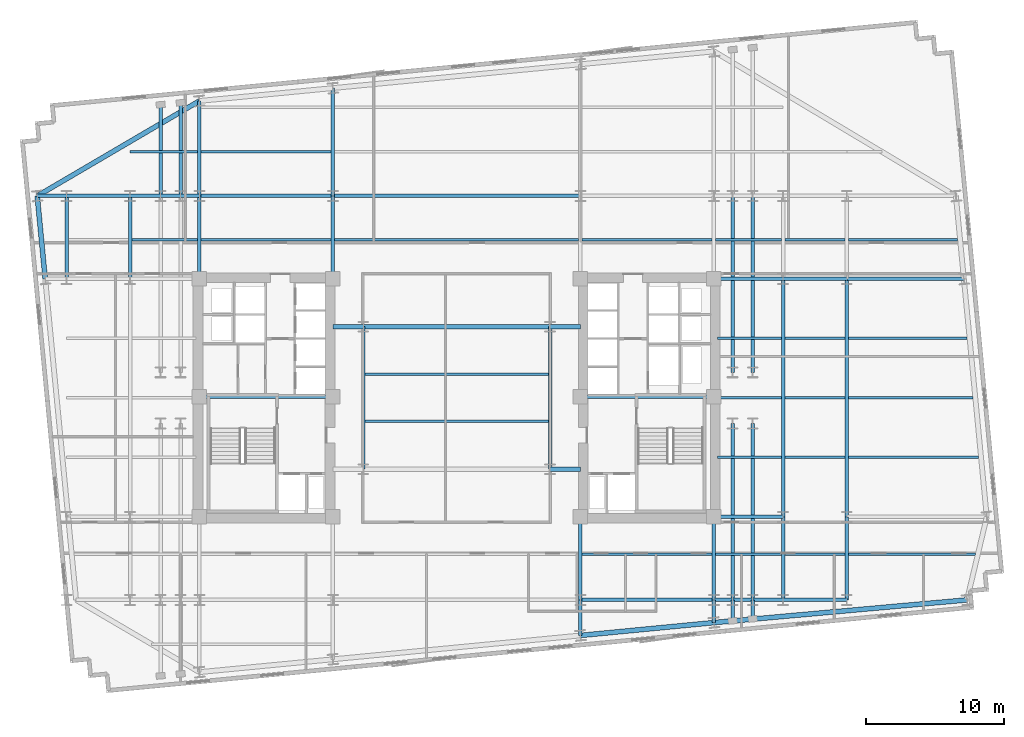
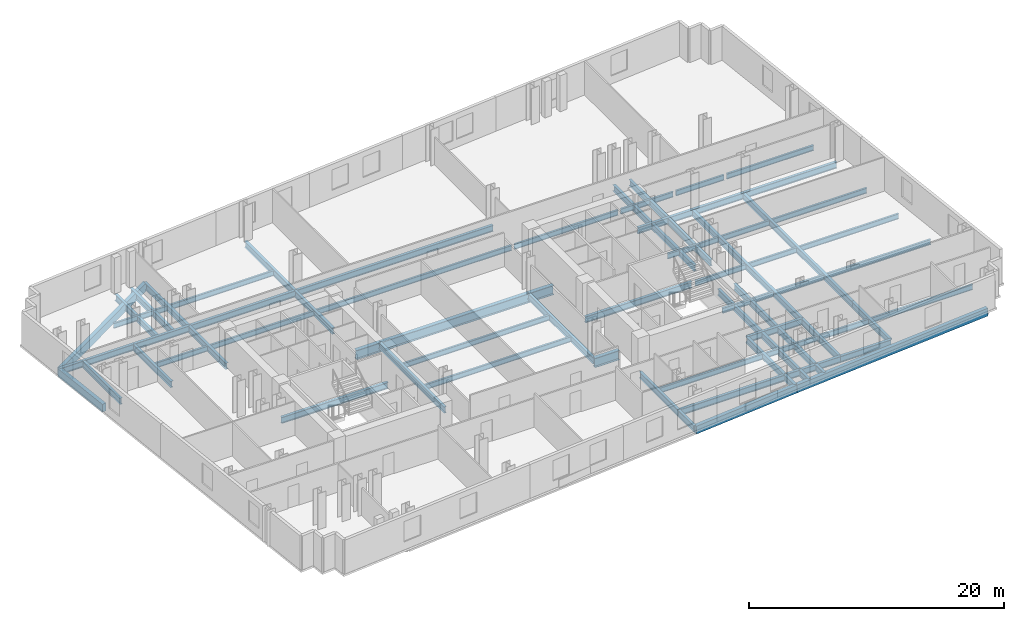
# One storey, part 2 of 10: 70 beams.
"""IFC4 building model written with IfcOpenShell, lengths in metres."""

from ifc_helpers import new_model, si_unit, direction, frame, origin, origin_2d, place, context, subcontext, project, spatial, rectangle, i_section, extrude, material, material_profile, profile_set, type_object, element, save


model = new_model("IFC4")

# Units and contexts
model_context = context("Model", 3, precision=1e-05, world=origin(), true_north=direction((0.0, 1.0)))
body_context = subcontext(model_context, "Body", "Model", "MODEL_VIEW")
ifc_project = project(units=[si_unit("LENGTHUNIT", "METRE"), si_unit("AREAUNIT", "SQUARE_METRE"), si_unit("VOLUMEUNIT", "CUBIC_METRE"), si_unit("PLANEANGLEUNIT", "RADIAN"), si_unit("MASSUNIT", "GRAM", prefix="KILO")], contexts=[model_context])

# Site, building, storey
site_placement = place(None, origin())
site = spatial("IfcSite", under=ifc_project, at=site_placement, CompositionType="ELEMENT")
building_placement = place(site_placement, origin())
building = spatial("IfcBuilding", under=site, at=building_placement, Name="Velakula Bourse", CompositionType="ELEMENT")
storey_placement = place(building_placement, frame((0.0, 0.0, 91.449951171875)))
storey = spatial("IfcBuildingStorey", under=building, at=storey_placement, Name="L24", CompositionType="ELEMENT", Elevation=91.449951171875)

# Beams
ifc_material_1 = material(Name="Steel IS 2062 Grade 350 (E350)", Category="steel")
ifc_material_profile_1 = material_profile(ifc_material_1, i_section(OverallWidth=0.25, OverallDepth=0.60009765625, WebThickness=0.01171875, FlangeThickness=0.023681640625, at=origin_2d()), Name="Steel IS 2062 Grade 350 (E350)")
ifc_profile_set_1 = profile_set([ifc_material_profile_1], Name="Steel IS 2062 Grade 350 (E350)")
beam_type_1 = type_object("IfcBeamType", Name="BM-GRD-600H", PredefinedType="BEAM", material=ifc_profile_set_1)
for number, where, z_axis, x_axis, name in (
    (1, (-18.60009765625, 0.10009765625, -0.47998046875), (1.0, 0.0, 0.0), (0.0, 1.0, 0.0), "L24 Primary Backbone Girder CRW-M"),
    (2, (8.949951171875, 0.10009765625, -0.47998046875), (1.0, 0.0, 0.0), (0.0, 1.0, 0.0), "L24 Primary Backbone Girder CRE-M"),
):
    element("IfcBeam", number, at=place(storey_placement, frame(where, z_axis=z_axis, x_axis=x_axis)), inside=storey, type_object=beam_type_1, Name=name, PredefinedType="BEAM", context=body_context, shape_type="SweptSolid", body=[
        extrude(i_section(OverallWidth=0.25, OverallDepth=0.60009765625, WebThickness=0.01171875, FlangeThickness=0.023681640625, at=origin_2d()), origin(), (0.0, 0.0, 1.0), 9.650146484375),
    ])
for number, where, z_axis, x_axis, name in (
    (3, (-6.75, -5.14990234375, -0.47998046875), (0.0, 1.0, 0.0), (-1.0, 0.0, 0.0), "L24 Primary Backbone Girder SPN-W"),
    (4, (6.75, -5.14990234375, -0.47998046875), (0.0, 1.0, 0.0), (-1.0, 0.0, 0.0), "L24 Primary Backbone Girder SPN-E"),
):
    element("IfcBeam", number, at=place(storey_placement, frame(where, z_axis=z_axis, x_axis=x_axis)), inside=storey, type_object=beam_type_1, Name=name, PredefinedType="BEAM", context=body_context, shape_type="SweptSolid", body=[
        extrude(i_section(OverallWidth=0.25, OverallDepth=0.60009765625, WebThickness=0.01171875, FlangeThickness=0.023681640625, at=origin_2d()), origin(), (0.0, 0.0, 1.0), 10.2998046875),
    ])
for number, where, z_axis, x_axis, name in (
    (5, (-18.60009765625, 8.60009765625, -0.47998046875), (0.0, 1.0, 0.0), (-1.0, 0.0, 0.0), "L24 Fulcrum Grid Girder FLC-WN"),
    (6, (-8.949951171875, 8.60009765625, -0.47998046875), (0.0, 1.0, 0.0), (-1.0, 0.0, 0.0), "L24 Fulcrum Grid Girder FLC-WCN"),
    (7, (8.949951171875, -14.60009765625, -0.47998046875), (0.0, 1.0, 0.0), (-1.0, 0.0, 0.0), "L24 Fulcrum Grid Girder FLC-ECS"),
    (8, (18.60009765625, -14.60009765625, -0.47998046875), (0.0, 1.0, 0.0), (-1.0, 0.0, 0.0), "L24 Fulcrum Grid Girder FLC-ES"),
):
    element("IfcBeam", number, at=place(storey_placement, frame(where, z_axis=z_axis, x_axis=x_axis)), inside=storey, type_object=beam_type_1, Name=name, PredefinedType="BEAM", context=body_context, shape_type="SweptSolid", body=[
        extrude(i_section(OverallWidth=0.25, OverallDepth=0.60009765625, WebThickness=0.01171875, FlangeThickness=0.023681640625, at=origin_2d()), origin(), (0.0, 0.0, 1.0), 6.0),
    ])
for number, where, z_axis, x_axis, name in (
    (9, (8.949951171875, -14.60009765625, -0.47998046875), (1.0, 0.0, 0.0), (0.0, 1.0, 0.0), "L24 Fulcrum Grid Girder FLC-S3"),
    (10, (-18.60009765625, 14.60009765625, -0.47998046875), (1.0, 0.0, 0.0), (0.0, 1.0, 0.0), "L24 Fulcrum Grid Girder FLC-N1"),
):
    element("IfcBeam", number, at=place(storey_placement, frame(where, z_axis=z_axis, x_axis=x_axis)), inside=storey, type_object=beam_type_1, Name=name, PredefinedType="BEAM", context=body_context, shape_type="SweptSolid", body=[
        extrude(i_section(OverallWidth=0.25, OverallDepth=0.60009765625, WebThickness=0.01171875, FlangeThickness=0.023681640625, at=origin_2d()), origin(), (0.0, 0.0, 1.0), 9.650146484375),
    ])
beam_1_placement = place(storey_placement, frame((-8.949951171875, 14.60009765625, -0.47998046875), z_axis=(1.0, 0.0, 0.0), x_axis=(0.0, 1.0, 0.0)))
element("IfcBeam", 11, at=beam_1_placement, inside=storey, type_object=beam_type_1, Name="L24 Fulcrum Grid Girder FLC-N2", PredefinedType="BEAM", context=body_context, shape_type="SweptSolid", body=[
    extrude(i_section(OverallWidth=0.25, OverallDepth=0.60009765625, WebThickness=0.01171875, FlangeThickness=0.023681640625, at=origin_2d()), origin(), (0.0, 0.0, 1.0), 17.89990234375),
])
for number, where, z_axis, x_axis, name in (
    (12, (19.949951171875, -14.60009765625, -0.47998046875), (0.0, 1.0, 0.0), (-1.0, 0.0, 0.0), "L24 Fulcrum Grid Girder FLC-PSE1"),
    (13, (19.949951171875, 1.85009765625, -0.47998046875), (0.0, 1.0, 0.0), (-1.0, 0.0, 0.0), "L24 Fulcrum Grid Girder FLC-PNE1"),
    (14, (21.39990234375, -14.60009765625, -0.47998046875), (0.0, 1.0, 0.0), (-1.0, 0.0, 0.0), "L24 Fulcrum Grid Girder FLC-PSE2"),
    (15, (21.39990234375, 1.85009765625, -0.47998046875), (0.0, 1.0, 0.0), (-1.0, 0.0, 0.0), "L24 Fulcrum Grid Girder FLC-PNE2"),
):
    element("IfcBeam", number, at=place(storey_placement, frame(where, z_axis=z_axis, x_axis=x_axis)), inside=storey, type_object=beam_type_1, Name=name, PredefinedType="BEAM", context=body_context, shape_type="SweptSolid", body=[
        extrude(i_section(OverallWidth=0.25, OverallDepth=0.60009765625, WebThickness=0.01171875, FlangeThickness=0.023681640625, at=origin_2d()), origin(), (0.0, 0.0, 1.0), 12.75),
    ])
beam_2_placement = place(storey_placement, frame((-23.60009765625, 14.60009765625, -0.47998046875), z_axis=(1.0, 0.0, 0.0), x_axis=(0.0, 1.0, 0.0)))
element("IfcBeam", 16, at=beam_2_placement, inside=storey, type_object=beam_type_1, Name="L24 Fulcrum Grid Girder MWG-WN2", PredefinedType="BEAM", context=body_context, shape_type="SweptSolid", body=[
    extrude(i_section(OverallWidth=0.25, OverallDepth=0.60009765625, WebThickness=0.01171875, FlangeThickness=0.023681640625, at=origin_2d()), origin(), (0.0, 0.0, 1.0), 5.0),
])
beam_3_placement = place(storey_placement, frame((-23.60009765625, 8.60009765625, -0.47998046875), z_axis=(0.0, 1.0, 0.0), x_axis=(-1.0, 0.0, 0.0)))
element("IfcBeam", 17, at=beam_3_placement, inside=storey, type_object=beam_type_1, Name="L24 Fulcrum Grid Girder MWG-WNS3", PredefinedType="BEAM", context=body_context, shape_type="SweptSolid", body=[
    extrude(i_section(OverallWidth=0.25, OverallDepth=0.60009765625, WebThickness=0.01171875, FlangeThickness=0.023681640625, at=origin_2d()), origin(), (0.0, 0.0, 1.0), 6.0),
])
for number, where, z_axis, x_axis, name in (
    (18, (18.60009765625, -14.60009765625, -0.47998046875), (1.0, 0.0, 0.0), (0.0, 1.0, 0.0), "L24 Fulcrum Grid Girder MWG-ES1"),
    (19, (18.60009765625, -8.60009765625, -0.47998046875), (1.0, 0.0, 0.0), (0.0, 1.0, 0.0), "L24 Fulcrum Grid Girder MWG-ES2"),
    (20, (18.60009765625, 8.60009765625, -0.47998046875), (1.0, 0.0, 0.0), (0.0, 1.0, 0.0), "L24 Fulcrum Grid Girder MWG-EN1"),
):
    element("IfcBeam", number, at=place(storey_placement, frame(where, z_axis=z_axis, x_axis=x_axis)), inside=storey, type_object=beam_type_1, Name=name, PredefinedType="BEAM", context=body_context, shape_type="SweptSolid", body=[
        extrude(i_section(OverallWidth=0.25, OverallDepth=0.60009765625, WebThickness=0.01171875, FlangeThickness=0.023681640625, at=origin_2d()), origin(), (0.0, 0.0, 1.0), 5.0),
    ])
beam_4_placement = place(storey_placement, frame((23.60009765625, -14.60009765625, -0.47998046875), z_axis=(0.0, 1.0, 0.0), x_axis=(-1.0, 0.0, 0.0)))
element("IfcBeam", 21, at=beam_4_placement, inside=storey, type_object=beam_type_1, Name="L24 Fulcrum Grid Girder MWG-ENS1", PredefinedType="BEAM", context=body_context, shape_type="SweptSolid", body=[
    extrude(i_section(OverallWidth=0.25, OverallDepth=0.60009765625, WebThickness=0.01171875, FlangeThickness=0.023681640625, at=origin_2d()), origin(), (0.0, 0.0, 1.0), 6.0),
])
beam_5_placement = place(storey_placement, frame((23.60009765625, -8.60009765625, -0.47998046875), z_axis=(0.0, 1.0, 0.0), x_axis=(-1.0, 0.0, 0.0)))
element("IfcBeam", 22, at=beam_5_placement, inside=storey, type_object=beam_type_1, Name="L24 Fulcrum Grid Girder MWG-ENS2", PredefinedType="BEAM", context=body_context, shape_type="SweptSolid", body=[
    extrude(i_section(OverallWidth=0.25, OverallDepth=0.60009765625, WebThickness=0.01171875, FlangeThickness=0.023681640625, at=origin_2d()), origin(), (0.0, 0.0, 1.0), 17.2001953125),
])
beam_6_placement = place(storey_placement, frame((-28.199951171875, 14.60009765625, -0.47998046875), z_axis=(1.0, 0.0, 0.0), x_axis=(0.0, 1.0, 0.0)))
element("IfcBeam", 23, at=beam_6_placement, inside=storey, type_object=beam_type_1, Name="L24 Fulcrum Grid Girder WNG-WN2", PredefinedType="BEAM", context=body_context, shape_type="SweptSolid", body=[
    extrude(i_section(OverallWidth=0.25, OverallDepth=0.60009765625, WebThickness=0.01171875, FlangeThickness=0.023681640625, at=origin_2d()), origin(), (0.0, 0.0, 1.0), 4.599853515625),
])
beam_7_placement = place(storey_placement, frame((-28.199951171875, 8.60009765625, -0.47998046875), z_axis=(0.0, 1.0, 0.0), x_axis=(-1.0, 0.0, 0.0)))
element("IfcBeam", 24, at=beam_7_placement, inside=storey, type_object=beam_type_1, Name="L24 Fulcrum Grid Girder WNG-WNS3", PredefinedType="BEAM", context=body_context, shape_type="SweptSolid", body=[
    extrude(i_section(OverallWidth=0.25, OverallDepth=0.60009765625, WebThickness=0.01171875, FlangeThickness=0.023681640625, at=origin_2d()), origin(), (0.0, 0.0, 1.0), 6.0),
])
for number, where, z_axis, x_axis, name in (
    (25, (23.60009765625, -14.60009765625, -0.47998046875), (1.0, 0.0, 0.0), (0.0, 1.0, 0.0), "L24 Fulcrum Grid Girder WNG-ES1"),
    (26, (23.60009765625, 8.60009765625, -0.47998046875), (1.0, 0.0, 0.0), (0.0, 1.0, 0.0), "L24 Fulcrum Grid Girder WNG-EN1"),
):
    element("IfcBeam", number, at=place(storey_placement, frame(where, z_axis=z_axis, x_axis=x_axis)), inside=storey, type_object=beam_type_1, Name=name, PredefinedType="BEAM", context=body_context, shape_type="SweptSolid", body=[
        extrude(i_section(OverallWidth=0.25, OverallDepth=0.60009765625, WebThickness=0.01171875, FlangeThickness=0.023681640625, at=origin_2d()), origin(), (0.0, 0.0, 1.0), 4.599853515625),
    ])
beam_8_placement = place(storey_placement, frame((28.199951171875, -14.60009765625, -0.47998046875), z_axis=(0.0, 1.0, 0.0), x_axis=(-1.0, 0.0, 0.0)))
element("IfcBeam", 27, at=beam_8_placement, inside=storey, type_object=beam_type_1, Name="L24 Fulcrum Grid Girder WNG-ENS1", PredefinedType="BEAM", context=body_context, shape_type="SweptSolid", body=[
    extrude(i_section(OverallWidth=0.25, OverallDepth=0.60009765625, WebThickness=0.01171875, FlangeThickness=0.023681640625, at=origin_2d()), origin(), (0.0, 0.0, 1.0), 6.0),
])
beam_9_placement = place(storey_placement, frame((28.199951171875, -8.60009765625, -0.47998046875), z_axis=(0.0, 1.0, 0.0), x_axis=(-1.0, 0.0, 0.0)))
element("IfcBeam", 28, at=beam_9_placement, inside=storey, type_object=beam_type_1, Name="L24 Fulcrum Grid Girder WNG-ENS2", PredefinedType="BEAM", context=body_context, shape_type="SweptSolid", body=[
    extrude(i_section(OverallWidth=0.25, OverallDepth=0.60009765625, WebThickness=0.01171875, FlangeThickness=0.023681640625, at=origin_2d()), origin(), (0.0, 0.0, 1.0), 17.2001953125),
])
beam_10_placement = place(storey_placement, frame((8.949951171875, -14.60009765625, -0.47998046875), z_axis=(0.0, -1.0, 0.0), x_axis=(1.0, 0.0, 0.0)))
element("IfcBeam", 29, at=beam_10_placement, inside=storey, type_object=beam_type_1, Name="L24 Perimeter Tie Girder S3", PredefinedType="BEAM", context=body_context, shape_type="SweptSolid", body=[
    extrude(i_section(OverallWidth=0.25, OverallDepth=0.60009765625, WebThickness=0.01171875, FlangeThickness=0.023681640625, at=origin_2d()), origin(), (0.0, 0.0, 1.0), 2.568359375),
])
beam_11_placement = place(storey_placement, frame((18.60009765625, -14.60009765625, -0.47998046875), z_axis=(0.0, -1.0, 0.0), x_axis=(1.0, 0.0, 0.0)))
element("IfcBeam", 30, at=beam_11_placement, inside=storey, type_object=beam_type_1, Name="L24 Perimeter Tie Girder S4", PredefinedType="BEAM", context=body_context, shape_type="SweptSolid", body=[
    extrude(i_section(OverallWidth=0.25, OverallDepth=0.60009765625, WebThickness=0.01171875, FlangeThickness=0.023681640625, at=origin_2d()), origin(), (0.0, 0.0, 1.0), 1.63916015625),
])
beam_12_placement = place(storey_placement, frame((-18.60009765625, 14.60009765625, -0.47998046875), z_axis=(0.0, 1.0, 0.0), x_axis=(-1.0, 0.0, 0.0)))
element("IfcBeam", 31, at=beam_12_placement, inside=storey, type_object=beam_type_1, Name="L24 Perimeter Tie Girder N1", PredefinedType="BEAM", context=body_context, shape_type="SweptSolid", body=[
    extrude(i_section(OverallWidth=0.25, OverallDepth=0.60009765625, WebThickness=0.01171875, FlangeThickness=0.023681640625, at=origin_2d()), origin(), (0.0, 0.0, 1.0), 6.868896484375),
])
beam_13_placement = place(storey_placement, frame((-8.949951171875, 14.60009765625, -0.47998046875), z_axis=(0.0, 1.0, 0.0), x_axis=(-1.0, 0.0, 0.0)))
element("IfcBeam", 32, at=beam_13_placement, inside=storey, type_object=beam_type_1, Name="L24 Perimeter Tie Girder N2", PredefinedType="BEAM", context=body_context, shape_type="SweptSolid", body=[
    extrude(i_section(OverallWidth=0.25, OverallDepth=0.60009765625, WebThickness=0.01171875, FlangeThickness=0.023681640625, at=origin_2d()), origin(), (0.0, 0.0, 1.0), 7.798095703125),
])
beam_14_placement = place(storey_placement, frame((-28.199951171875, 14.60009765625, -0.47998046875), z_axis=(-1.0, 0.0, 0.0), x_axis=(0.0, -1.0, 0.0)))
element("IfcBeam", 33, at=beam_14_placement, inside=storey, type_object=beam_type_1, Name="L24 Perimeter Tie Girder W4", PredefinedType="BEAM", context=body_context, shape_type="SweptSolid", body=[
    extrude(i_section(OverallWidth=0.25, OverallDepth=0.60009765625, WebThickness=0.01171875, FlangeThickness=0.023681640625, at=origin_2d()), origin(), (0.0, 0.0, 1.0), 2.119873046875),
])
beam_15_placement = place(storey_placement, frame((28.199951171875, 8.60009765625, -0.47998046875), z_axis=(1.0, 0.0, 0.0), x_axis=(0.0, 1.0, 0.0)))
element("IfcBeam", 34, at=beam_15_placement, inside=storey, type_object=beam_type_1, Name="L24 Perimeter Tie Girder E3", PredefinedType="BEAM", context=body_context, shape_type="SweptSolid", body=[
    extrude(i_section(OverallWidth=0.25, OverallDepth=0.60009765625, WebThickness=0.01171875, FlangeThickness=0.023681640625, at=origin_2d()), origin(), (0.0, 0.0, 1.0), 8.463623046875),
])
beam_16_placement = place(storey_placement, frame((19.949951171875, -14.60009765625, -0.47998046875), z_axis=(0.0, -1.0, 0.0), x_axis=(1.0, 0.0, 0.0)))
element("IfcBeam", 35, at=beam_16_placement, inside=storey, type_object=beam_type_1, Name="L24 Perimeter Tie Girder P03", PredefinedType="BEAM", context=body_context, shape_type="SweptSolid", body=[
    extrude(i_section(OverallWidth=0.25, OverallDepth=0.60009765625, WebThickness=0.01171875, FlangeThickness=0.023681640625, at=origin_2d()), origin(), (0.0, 0.0, 1.0), 1.509033203125),
])
beam_17_placement = place(storey_placement, frame((21.39990234375, -14.60009765625, -0.47998046875), z_axis=(0.0, -1.0, 0.0), x_axis=(1.0, 0.0, 0.0)))
element("IfcBeam", 36, at=beam_17_placement, inside=storey, type_object=beam_type_1, Name="L24 Perimeter Tie Girder P04", PredefinedType="BEAM", context=body_context, shape_type="SweptSolid", body=[
    extrude(i_section(OverallWidth=0.25, OverallDepth=0.60009765625, WebThickness=0.01171875, FlangeThickness=0.023681640625, at=origin_2d()), origin(), (0.0, 0.0, 1.0), 1.369384765625),
])
beam_18_placement = place(storey_placement, frame((-21.39990234375, 14.60009765625, -0.47998046875), z_axis=(0.0, 1.0, 0.0), x_axis=(-1.0, 0.0, 0.0)))
element("IfcBeam", 37, at=beam_18_placement, inside=storey, type_object=beam_type_1, Name="L24 Perimeter Tie Girder P05", PredefinedType="BEAM", context=body_context, shape_type="SweptSolid", body=[
    extrude(i_section(OverallWidth=0.25, OverallDepth=0.60009765625, WebThickness=0.01171875, FlangeThickness=0.023681640625, at=origin_2d()), origin(), (0.0, 0.0, 1.0), 6.59912109375),
])
beam_19_placement = place(storey_placement, frame((-19.949951171875, 14.60009765625, -0.47998046875), z_axis=(0.0, 1.0, 0.0), x_axis=(-1.0, 0.0, 0.0)))
element("IfcBeam", 38, at=beam_19_placement, inside=storey, type_object=beam_type_1, Name="L24 Perimeter Tie Girder P06", PredefinedType="BEAM", context=body_context, shape_type="SweptSolid", body=[
    extrude(i_section(OverallWidth=0.25, OverallDepth=0.60009765625, WebThickness=0.01171875, FlangeThickness=0.023681640625, at=origin_2d()), origin(), (0.0, 0.0, 1.0), 6.73876953125),
])
ifc_material_profile_2 = material_profile(ifc_material_1, i_section(OverallWidth=0.35009765625, OverallDepth=0.89990234375, WebThickness=0.02001953125, FlangeThickness=0.031982421875, at=origin_2d()), Name="Steel IS 2062 Grade 350 (E350)")
ifc_profile_set_2 = profile_set([ifc_material_profile_2], Name="Steel IS 2062 Grade 350 (E350)")
beam_type_2 = type_object("IfcBeamType", Name="BM-LNK-900", PredefinedType="BEAM", material=ifc_profile_set_2)
for number, where, z_axis, x_axis, name in (
    (39, (6.75, -5.14990234375, -0.6298828125), (1.0, 0.0, 0.0), (0.0, 1.0, 0.0), "L24 Primary Backbone Girder LNK-S3"),
    (40, (-8.949951171875, 5.14990234375, -0.6298828125), (1.0, 0.0, 0.0), (0.0, 1.0, 0.0), "L24 Primary Backbone Girder LNK-N1"),
):
    element("IfcBeam", number, at=place(storey_placement, frame(where, z_axis=z_axis, x_axis=x_axis)), inside=storey, type_object=beam_type_2, Name=name, PredefinedType="BEAM", context=body_context, shape_type="SweptSolid", body=[
        extrude(i_section(OverallWidth=0.35009765625, OverallDepth=0.89990234375, WebThickness=0.02001953125, FlangeThickness=0.031982421875, at=origin_2d()), origin(), (0.0, 0.0, 1.0), 2.199951171875),
    ])
beam_20_placement = place(storey_placement, frame((-6.75, 5.14990234375, -0.6298828125), z_axis=(1.0, 0.0, 0.0), x_axis=(0.0, 1.0, 0.0)))
element("IfcBeam", 41, at=beam_20_placement, inside=storey, type_object=beam_type_2, Name="L24 Primary Backbone Girder LNK-N2", PredefinedType="BEAM", context=body_context, shape_type="SweptSolid", body=[
    extrude(i_section(OverallWidth=0.35009765625, OverallDepth=0.89990234375, WebThickness=0.02001953125, FlangeThickness=0.031982421875, at=origin_2d()), origin(), (0.0, 0.0, 1.0), 13.5),
])
beam_21_placement = place(storey_placement, frame((6.75, 5.14990234375, -0.6298828125), z_axis=(1.0, 0.0, 0.0), x_axis=(0.0, 1.0, 0.0)))
element("IfcBeam", 42, at=beam_21_placement, inside=storey, type_object=beam_type_2, Name="L24 Primary Backbone Girder LNK-N3", PredefinedType="BEAM", context=body_context, shape_type="SweptSolid", body=[
    extrude(i_section(OverallWidth=0.35009765625, OverallDepth=0.89990234375, WebThickness=0.02001953125, FlangeThickness=0.031982421875, at=origin_2d()), origin(), (0.0, 0.0, 1.0), 2.199951171875),
])
ifc_material_profile_3 = material_profile(ifc_material_1, i_section(OverallWidth=0.179931640625, OverallDepth=0.5, WebThickness=0.01025390625, FlangeThickness=0.01708984375, at=origin_2d()), Name="Steel IS 2062 Grade 350 (E350)")
ifc_profile_set_3 = profile_set([ifc_material_profile_3], Name="Steel IS 2062 Grade 350 (E350)")
beam_type_3 = type_object("IfcBeamType", Name="JST-TWR-500", PredefinedType="JOIST", material=ifc_profile_set_3)
beam_22_placement = place(storey_placement, frame((9.074951171875, -11.300048828125, -0.429931640625), z_axis=(1.0, 0.0, 0.0), x_axis=(0.0, 1.0, 0.0)))
element("IfcBeam", 43, at=beam_22_placement, inside=storey, type_object=beam_type_3, Name="L24 Trading Floor Composite Joist 08", PredefinedType="JOIST", context=body_context, shape_type="SweptSolid", body=[
    extrude(i_section(OverallWidth=0.179931640625, OverallDepth=0.5, WebThickness=0.01025390625, FlangeThickness=0.01708984375, at=origin_2d()), origin(), (0.0, 0.0, 1.0), 9.400146484375),
])
beam_23_placement = place(storey_placement, frame((18.72509765625, -11.300048828125, -0.429931640625), z_axis=(1.0, 0.0, 0.0), x_axis=(0.0, 1.0, 0.0)))
element("IfcBeam", 44, at=beam_23_placement, inside=storey, type_object=beam_type_3, Name="L24 Trading Floor Composite Joist 09", PredefinedType="JOIST", context=body_context, shape_type="SweptSolid", body=[
    extrude(i_section(OverallWidth=0.179931640625, OverallDepth=0.5, WebThickness=0.01025390625, FlangeThickness=0.01708984375, at=origin_2d()), origin(), (0.0, 0.0, 1.0), 4.75),
])
beam_24_placement = place(storey_placement, frame((23.72509765625, -11.300048828125, -0.429931640625), z_axis=(1.0, 0.0, 0.0), x_axis=(0.0, 1.0, 0.0)))
element("IfcBeam", 45, at=beam_24_placement, inside=storey, type_object=beam_type_3, Name="L24 Trading Floor Composite Joist 10", PredefinedType="JOIST", context=body_context, shape_type="SweptSolid", body=[
    extrude(i_section(OverallWidth=0.179931640625, OverallDepth=0.5, WebThickness=0.01025390625, FlangeThickness=0.01708984375, at=origin_2d()), origin(), (0.0, 0.0, 1.0), 4.349853515625),
])
beam_25_placement = place(storey_placement, frame((28.324951171875, -11.300048828125, -0.429931640625), z_axis=(1.0, 0.0, 0.0), x_axis=(0.0, 1.0, 0.0)))
element("IfcBeam", 46, at=beam_25_placement, inside=storey, type_object=beam_type_3, Name="L24 Trading Floor Composite Joist 11", PredefinedType="JOIST", context=body_context, shape_type="SweptSolid", body=[
    extrude(i_section(OverallWidth=0.179931640625, OverallDepth=0.5, WebThickness=0.01025390625, FlangeThickness=0.01708984375, at=origin_2d()), origin(), (0.0, 0.0, 1.0), 9.170654296875),
])
beam_26_placement = place(storey_placement, frame((-23.47509765625, 11.449951171875, -0.429931640625), z_axis=(1.0, 0.0, 0.0), x_axis=(0.0, 1.0, 0.0)))
element("IfcBeam", 47, at=beam_26_placement, inside=storey, type_object=beam_type_3, Name="L24 Trading Floor Composite Joist 13", PredefinedType="JOIST", context=body_context, shape_type="SweptSolid", body=[
    extrude(i_section(OverallWidth=0.179931640625, OverallDepth=0.5, WebThickness=0.01025390625, FlangeThickness=0.01708984375, at=origin_2d()), origin(), (0.0, 0.0, 1.0), 4.75),
])
beam_27_placement = place(storey_placement, frame((-18.47509765625, 11.449951171875, -0.429931640625), z_axis=(1.0, 0.0, 0.0), x_axis=(0.0, 1.0, 0.0)))
element("IfcBeam", 48, at=beam_27_placement, inside=storey, type_object=beam_type_3, Name="L24 Trading Floor Composite Joist 14", PredefinedType="JOIST", context=body_context, shape_type="SweptSolid", body=[
    extrude(i_section(OverallWidth=0.179931640625, OverallDepth=0.5, WebThickness=0.01025390625, FlangeThickness=0.01708984375, at=origin_2d()), origin(), (0.0, 0.0, 1.0), 9.400146484375),
])
beam_28_placement = place(storey_placement, frame((-8.824951171875, 11.449951171875, -0.429931640625), z_axis=(1.0, 0.0, 0.0), x_axis=(0.0, 1.0, 0.0)))
element("IfcBeam", 49, at=beam_28_placement, inside=storey, type_object=beam_type_3, Name="L24 Trading Floor Composite Joist 15", PredefinedType="JOIST", context=body_context, shape_type="SweptSolid", body=[
    extrude(i_section(OverallWidth=0.179931640625, OverallDepth=0.5, WebThickness=0.01025390625, FlangeThickness=0.01708984375, at=origin_2d()), origin(), (0.0, 0.0, 1.0), 17.64990234375),
])
beam_29_placement = place(storey_placement, frame((9.074951171875, 11.449951171875, -0.429931640625), z_axis=(1.0, 0.0, 0.0), x_axis=(0.0, 1.0, 0.0)))
element("IfcBeam", 50, at=beam_29_placement, inside=storey, type_object=beam_type_3, Name="L24 Trading Floor Composite Joist 16", PredefinedType="JOIST", context=body_context, shape_type="SweptSolid", body=[
    extrude(i_section(OverallWidth=0.179931640625, OverallDepth=0.5, WebThickness=0.01025390625, FlangeThickness=0.01708984375, at=origin_2d()), origin(), (0.0, 0.0, 1.0), 9.400146484375),
])
beam_30_placement = place(storey_placement, frame((18.72509765625, 11.449951171875, -0.429931640625), z_axis=(1.0, 0.0, 0.0), x_axis=(0.0, 1.0, 0.0)))
element("IfcBeam", 51, at=beam_30_placement, inside=storey, type_object=beam_type_3, Name="L24 Trading Floor Composite Joist 17", PredefinedType="JOIST", context=body_context, shape_type="SweptSolid", body=[
    extrude(i_section(OverallWidth=0.179931640625, OverallDepth=0.5, WebThickness=0.01025390625, FlangeThickness=0.01708984375, at=origin_2d()), origin(), (0.0, 0.0, 1.0), 4.75),
])
beam_31_placement = place(storey_placement, frame((23.72509765625, 11.449951171875, -0.429931640625), z_axis=(1.0, 0.0, 0.0), x_axis=(0.0, 1.0, 0.0)))
element("IfcBeam", 52, at=beam_31_placement, inside=storey, type_object=beam_type_3, Name="L24 Trading Floor Composite Joist 18", PredefinedType="JOIST", context=body_context, shape_type="SweptSolid", body=[
    extrude(i_section(OverallWidth=0.179931640625, OverallDepth=0.5, WebThickness=0.01025390625, FlangeThickness=0.01708984375, at=origin_2d()), origin(), (0.0, 0.0, 1.0), 4.349853515625),
])
beam_32_placement = place(storey_placement, frame((28.324951171875, 11.449951171875, -0.429931640625), z_axis=(1.0, 0.0, 0.0), x_axis=(0.0, 1.0, 0.0)))
element("IfcBeam", 53, at=beam_32_placement, inside=storey, type_object=beam_type_3, Name="L24 Trading Floor Composite Joist 19", PredefinedType="JOIST", context=body_context, shape_type="SweptSolid", body=[
    extrude(i_section(OverallWidth=0.179931640625, OverallDepth=0.5, WebThickness=0.01025390625, FlangeThickness=0.01708984375, at=origin_2d()), origin(), (0.0, 0.0, 1.0), 7.888427734375),
])
beam_33_placement = place(storey_placement, frame((-23.60009765625, 17.800048828125, -0.429931640625), z_axis=(1.0, 0.0, 0.0), x_axis=(0.0, 1.0, 0.0)))
element("IfcBeam", 54, at=beam_33_placement, inside=storey, type_object=beam_type_3, Name="L24 Trading Floor Composite Joist 20", PredefinedType="JOIST", context=body_context, shape_type="SweptSolid", body=[
    extrude(i_section(OverallWidth=0.179931640625, OverallDepth=0.5, WebThickness=0.01025390625, FlangeThickness=0.01708984375, at=origin_2d()), origin(), (0.0, 0.0, 1.0), 4.875),
])
beam_34_placement = place(storey_placement, frame((-18.47509765625, 17.800048828125, -0.429931640625), z_axis=(1.0, 0.0, 0.0), x_axis=(0.0, 1.0, 0.0)))
element("IfcBeam", 55, at=beam_34_placement, inside=storey, type_object=beam_type_3, Name="L24 Trading Floor Composite Joist 21", PredefinedType="JOIST", context=body_context, shape_type="SweptSolid", body=[
    extrude(i_section(OverallWidth=0.179931640625, OverallDepth=0.5, WebThickness=0.01025390625, FlangeThickness=0.01708984375, at=origin_2d()), origin(), (0.0, 0.0, 1.0), 9.400146484375),
])
for number, where, z_axis, x_axis, name in (
    (56, (-6.625, -1.699951171875, -0.429931640625), (1.0, 0.0, 0.0), (0.0, 1.0, 0.0), "L24 Trading Floor Composite Joist 31"),
    (57, (-6.625, 1.699951171875, -0.429931640625), (1.0, 0.0, 0.0), (0.0, 1.0, 0.0), "L24 Trading Floor Composite Joist 32"),
):
    element("IfcBeam", number, at=place(storey_placement, frame(where, z_axis=z_axis, x_axis=x_axis)), inside=storey, type_object=beam_type_3, Name=name, PredefinedType="JOIST", context=body_context, shape_type="SweptSolid", body=[
        extrude(i_section(OverallWidth=0.179931640625, OverallDepth=0.5, WebThickness=0.01025390625, FlangeThickness=0.01708984375, at=origin_2d()), origin(), (0.0, 0.0, 1.0), 13.25),
    ])
beam_35_placement = place(storey_placement, frame((18.85009765625, -4.300048828125, -0.429931640625), z_axis=(1.0, 0.0, 0.0), x_axis=(0.0, 1.0, 0.0)))
element("IfcBeam", 58, at=beam_35_placement, inside=storey, type_object=beam_type_3, Name="L24 Trading Floor Composite Joist 35", PredefinedType="JOIST", context=body_context, shape_type="SweptSolid", body=[
    extrude(i_section(OverallWidth=0.179931640625, OverallDepth=0.5, WebThickness=0.01025390625, FlangeThickness=0.01708984375, at=origin_2d()), origin(), (0.0, 0.0, 1.0), 4.625),
])
beam_36_placement = place(storey_placement, frame((23.72509765625, -4.300048828125, -0.429931640625), z_axis=(1.0, 0.0, 0.0), x_axis=(0.0, 1.0, 0.0)))
element("IfcBeam", 59, at=beam_36_placement, inside=storey, type_object=beam_type_3, Name="L24 Trading Floor Composite Joist 36", PredefinedType="JOIST", context=body_context, shape_type="SweptSolid", body=[
    extrude(i_section(OverallWidth=0.179931640625, OverallDepth=0.5, WebThickness=0.01025390625, FlangeThickness=0.01708984375, at=origin_2d()), origin(), (0.0, 0.0, 1.0), 4.349853515625),
])
beam_37_placement = place(storey_placement, frame((28.324951171875, -4.300048828125, -0.429931640625), z_axis=(1.0, 0.0, 0.0), x_axis=(0.0, 1.0, 0.0)))
element("IfcBeam", 60, at=beam_37_placement, inside=storey, type_object=beam_type_3, Name="L24 Trading Floor Composite Joist 37", PredefinedType="JOIST", context=body_context, shape_type="SweptSolid", body=[
    extrude(i_section(OverallWidth=0.179931640625, OverallDepth=0.5, WebThickness=0.01025390625, FlangeThickness=0.01708984375, at=origin_2d()), origin(), (0.0, 0.0, 1.0), 9.405029296875),
])
beam_38_placement = place(storey_placement, frame((18.85009765625, 0.0, -0.429931640625), z_axis=(1.0, 0.0, 0.0), x_axis=(0.0, 1.0, 0.0)))
element("IfcBeam", 61, at=beam_38_placement, inside=storey, type_object=beam_type_3, Name="L24 Trading Floor Composite Joist 40", PredefinedType="JOIST", context=body_context, shape_type="SweptSolid", body=[
    extrude(i_section(OverallWidth=0.179931640625, OverallDepth=0.5, WebThickness=0.01025390625, FlangeThickness=0.01708984375, at=origin_2d()), origin(), (0.0, 0.0, 1.0), 4.625),
])
beam_39_placement = place(storey_placement, frame((23.72509765625, 0.0, -0.429931640625), z_axis=(1.0, 0.0, 0.0), x_axis=(0.0, 1.0, 0.0)))
element("IfcBeam", 62, at=beam_39_placement, inside=storey, type_object=beam_type_3, Name="L24 Trading Floor Composite Joist 41", PredefinedType="JOIST", context=body_context, shape_type="SweptSolid", body=[
    extrude(i_section(OverallWidth=0.179931640625, OverallDepth=0.5, WebThickness=0.01025390625, FlangeThickness=0.01708984375, at=origin_2d()), origin(), (0.0, 0.0, 1.0), 4.349853515625),
])
beam_40_placement = place(storey_placement, frame((28.324951171875, 0.0, -0.429931640625), z_axis=(1.0, 0.0, 0.0), x_axis=(0.0, 1.0, 0.0)))
element("IfcBeam", 63, at=beam_40_placement, inside=storey, type_object=beam_type_3, Name="L24 Trading Floor Composite Joist 42", PredefinedType="JOIST", context=body_context, shape_type="SweptSolid", body=[
    extrude(i_section(OverallWidth=0.179931640625, OverallDepth=0.5, WebThickness=0.01025390625, FlangeThickness=0.01708984375, at=origin_2d()), origin(), (0.0, 0.0, 1.0), 8.990966796875),
])
beam_41_placement = place(storey_placement, frame((18.85009765625, 4.300048828125, -0.429931640625), z_axis=(1.0, 0.0, 0.0), x_axis=(0.0, 1.0, 0.0)))
element("IfcBeam", 64, at=beam_41_placement, inside=storey, type_object=beam_type_3, Name="L24 Trading Floor Composite Joist 45", PredefinedType="JOIST", context=body_context, shape_type="SweptSolid", body=[
    extrude(i_section(OverallWidth=0.179931640625, OverallDepth=0.5, WebThickness=0.01025390625, FlangeThickness=0.01708984375, at=origin_2d()), origin(), (0.0, 0.0, 1.0), 4.625),
])
beam_42_placement = place(storey_placement, frame((23.72509765625, 4.300048828125, -0.429931640625), z_axis=(1.0, 0.0, 0.0), x_axis=(0.0, 1.0, 0.0)))
element("IfcBeam", 65, at=beam_42_placement, inside=storey, type_object=beam_type_3, Name="L24 Trading Floor Composite Joist 46", PredefinedType="JOIST", context=body_context, shape_type="SweptSolid", body=[
    extrude(i_section(OverallWidth=0.179931640625, OverallDepth=0.5, WebThickness=0.01025390625, FlangeThickness=0.01708984375, at=origin_2d()), origin(), (0.0, 0.0, 1.0), 4.349853515625),
])
beam_43_placement = place(storey_placement, frame((28.324951171875, 4.300048828125, -0.429931640625), z_axis=(1.0, 0.0, 0.0), x_axis=(0.0, 1.0, 0.0)))
element("IfcBeam", 66, at=beam_43_placement, inside=storey, type_object=beam_type_3, Name="L24 Trading Floor Composite Joist 47", PredefinedType="JOIST", context=body_context, shape_type="SweptSolid", body=[
    extrude(i_section(OverallWidth=0.179931640625, OverallDepth=0.5, WebThickness=0.01025390625, FlangeThickness=0.01708984375, at=origin_2d()), origin(), (0.0, 0.0, 1.0), 8.576904296875),
])
ifc_material_2 = material(Name="Precast concrete M45 (fck 45 MPa)", Category="concrete")
ifc_material_profile_4 = material_profile(ifc_material_2, rectangle(XDim=0.35009765625, YDim=0.75, at=origin_2d()), Name="Precast concrete M45 (fck 45 MPa)")
ifc_profile_set_4 = profile_set([ifc_material_profile_4], Name="Precast concrete M45 (fck 45 MPa)")
beam_type_4 = type_object("IfcBeamType", Name="SPN-BRICK-750", PredefinedType="SPANDREL", material=ifc_profile_set_4)
beam_44_placement = place(storey_placement, frame((8.949951171875, -17.16845703125, -0.554931640625), z_axis=(0.99539623971, 0.095845323155, 0.0), x_axis=(-0.095845323155, 0.99539623971, 0.0)))
element("IfcBeam", 67, at=beam_44_placement, inside=storey, type_object=beam_type_4, Name="L24 Brick-Faced Precast Spandrel S3-S4", PredefinedType="SPANDREL", context=body_context, shape_type="SweptSolid", body=[
    extrude(rectangle(XDim=0.35009765625, YDim=0.75, at=origin_2d()), origin(), (0.0, 0.0, 1.0), 9.69482421875),
])
beam_45_placement = place(storey_placement, frame((-29.7421875, 8.60009765625, -0.554931640625), z_axis=(-0.095829714309, 0.995397742541, 0.0), x_axis=(-0.995397742541, -0.095829714309, 0.0)))
element("IfcBeam", 68, at=beam_45_placement, inside=storey, type_object=beam_type_4, Name="L24 Brick-Faced Precast Spandrel W3-W4", PredefinedType="SPANDREL", context=body_context, shape_type="SweptSolid", body=[
    extrude(rectangle(XDim=0.35009765625, YDim=0.75, at=origin_2d()), origin(), (0.0, 0.0, 1.0), 6.02783203125),
])
beam_46_placement = place(storey_placement, frame((18.60009765625, -16.2392578125, -0.554931640625), z_axis=(0.99600727708, 0.089272078527, 0.0), x_axis=(-0.089272078527, 0.99600727708, 0.0)))
element("IfcBeam", 69, at=beam_46_placement, inside=storey, type_object=beam_type_4, Name="L24 Brick-Faced Precast Spandrel S4-E1", PredefinedType="SPANDREL", context=body_context, shape_type="SweptSolid", body=[
    extrude(rectangle(XDim=0.35009765625, YDim=0.75, at=origin_2d()), origin(), (0.0, 0.0, 1.0), 18.361328125),
])
beam_47_placement = place(storey_placement, frame((-18.60009765625, 21.468994140625, -0.554931640625), z_axis=(-0.862739335169, -0.505648929151, 0.0), x_axis=(0.505648929151, -0.862739335169, 0.0)))
element("IfcBeam", 70, at=beam_47_placement, inside=storey, type_object=beam_type_4, Name="L24 Brick-Faced Precast Spandrel N1-W4", PredefinedType="SPANDREL", context=body_context, shape_type="SweptSolid", body=[
    extrude(rectangle(XDim=0.35009765625, YDim=0.75, at=origin_2d()), origin(), (0.0, 0.0, 1.0), 13.584228515625),
])

save(model, "model.ifc")
